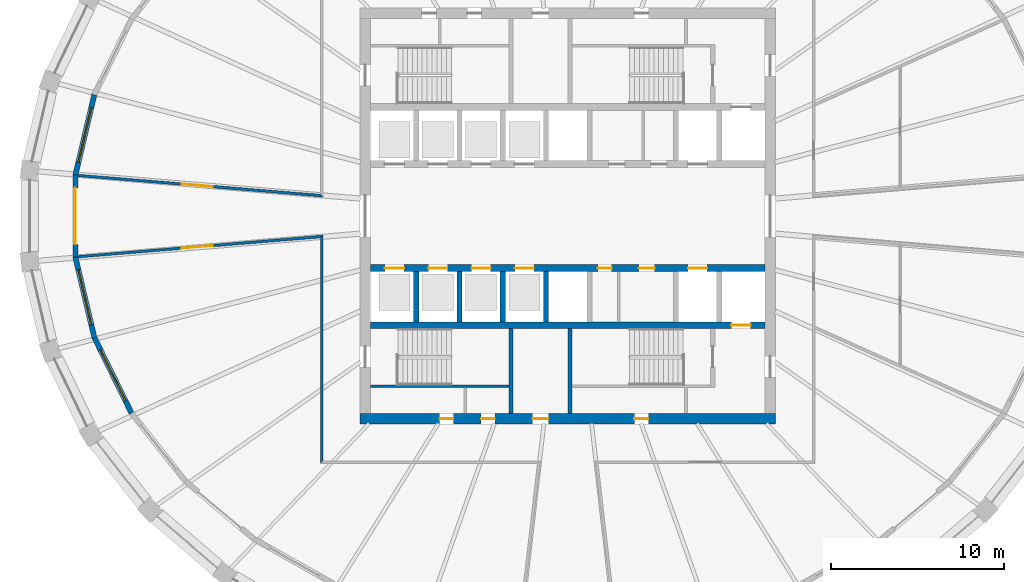
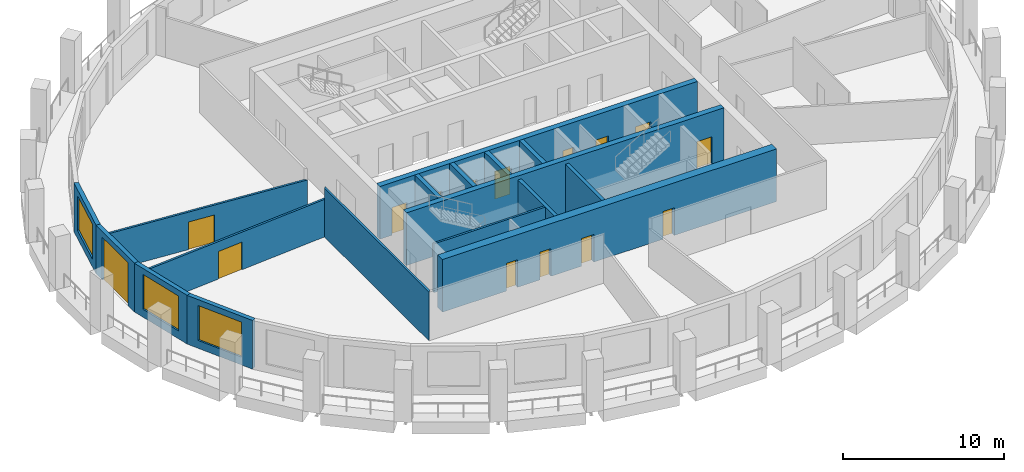
# One storey, part 3 of 10: 17 walls, 15 doors, 3 windows, 18 openings.
"""IFC4 building model written with IfcOpenShell, lengths in metres."""

from ifc_helpers import new_model, si_unit, direction, frame, frame_2d, origin, place, context, subcontext, project, spatial, polyline, rectangle, outline, extrude, material, layer, layer_set, type_object, element, fill, save


model = new_model("IFC4")

# Units and contexts
model_context = context("Model", 3, precision=1e-05, world=origin(), true_north=direction((0.0, 1.0)))
body_context = subcontext(model_context, "Body", "Model", "MODEL_VIEW")
ifc_project = project(units=[si_unit("LENGTHUNIT", "METRE"), si_unit("AREAUNIT", "SQUARE_METRE"), si_unit("VOLUMEUNIT", "CUBIC_METRE"), si_unit("PLANEANGLEUNIT", "RADIAN"), si_unit("MASSUNIT", "GRAM", prefix="KILO")], contexts=[model_context])

# Site, building, storey
site_placement = place(None, origin())
site = spatial("IfcSite", under=ifc_project, at=site_placement, CompositionType="ELEMENT")
building_placement = place(site_placement, origin())
building = spatial("IfcBuilding", under=site, at=building_placement, Name="Halqa Exchange Tower", CompositionType="ELEMENT")
storey_placement = place(building_placement, frame((0.0, 0.0, 242.89990234375)))
storey = spatial("IfcBuildingStorey", under=building, at=storey_placement, Name="L56", CompositionType="ELEMENT", Elevation=242.89990234375)

# Wall, opening, door
ifc_material_1 = material(Name="Fire-rated gypsum board")
ifc_layer_1 = layer(ifc_material_1, 0.14990234375)
ifc_layer_set_1 = layer_set([ifc_layer_1], Name="Fire-rated gypsum board")
wall_type_1 = type_object("IfcWallType", Name="Fire partition EI 60 150", PredefinedType="PARTITIONING", material=ifc_layer_set_1)
wall_1_placement = place(storey_placement, frame((-28.26708984375, 2.344970703125, 0.0), z_axis=(0.0, 0.0, 1.0), x_axis=(0.996588676362, -0.082528844332, 0.0)))
wall_1 = element("IfcWall", 1, at=wall_1_placement, inside=storey, type_object=wall_type_1, Name="L56-PWL-001", PredefinedType="PARTITIONING", context=body_context, shape_type="SweptSolid", body=[
    extrude(outline(polyline([(14.196533203125, -0.074951171875), (14.196533203125, -0.074951171875), (14.115234375, 0.0), (14.03369140625, 0.074951171875), (12.280029296875, 0.074951171875), (10.5263671875, 0.074951171875), (8.772705078125, 0.074951171875), (7.01904296875, 0.074951171875), (5.26513671875, 0.074951171875), (3.511474609375, 0.074951171875), (1.7578125, 0.074951171875), (0.004150390625, 0.074951171875), (0.0, 0.047607421875), (0.0, -0.074951171875), (1.774658203125, -0.074951171875), (3.549072265625, -0.074951171875), (5.32373046875, -0.074951171875), (7.09814453125, -0.074951171875), (8.872802734375, -0.074951171875), (10.6474609375, -0.074951171875), (12.421875, -0.074951171875), (14.196533203125, -0.074951171875)])), origin(), (0.0, 0.0, 1.0), 2.85009765625),
])
opening_1_placement = place(wall_1_placement, frame((6.005859375, 0.0, 0.0)))
opening_1 = element("IfcOpeningElement", 2, at=opening_1_placement, cuts=wall_1, Name="Opening 17-07", PredefinedType="OPENING", context=body_context, shape_type="SweptSolid", body=[
    extrude(rectangle(XDim=1.800048828125, YDim=2.10009765625, at=frame_2d((0.89990234375, 1.050048828125))), frame((0.0, 0.0869140625, 0.0), z_axis=(0.0, -1.0, 0.0), x_axis=(1.0, 0.0, 0.0)), (0.0, 0.0, 1.0), 0.173828125),
])
ifc_material_2 = material(Name="Steel fire door leaf", Category="steel")
door_type_1 = type_object("IfcDoorType", Name="Fire door FD30S double 1800 x 2100", OperationType="DOUBLE_DOOR_SINGLE_SWING", PredefinedType="DOOR", material=ifc_material_2)
door_1_placement = place(opening_1_placement, origin())
door_1 = element("IfcDoor", 3, at=door_1_placement, inside=storey, type_object=door_type_1, Name="L56-IDR-007", OperationType="DOUBLE_DOOR_SINGLE_SWING", OverallHeight=2.10009765625, OverallWidth=1.800048828125, PredefinedType="DOOR", context=body_context, shape_type="SweptSolid", body=[
    extrude(rectangle(XDim=1.800048828125, YDim=2.10009765625, at=frame_2d((0.89990234375, 1.050048828125))), frame((0.0, 0.02490234375, 0.0), z_axis=(0.0, -1.0, 0.0), x_axis=(1.0, 0.0, 0.0)), (0.0, 0.0, 1.0), 0.050048828125),
])
fill(opening_1, door_1)

# Wall
wall_2_placement = place(storey_placement, frame((-14.199951171875, -14.27490234375, 0.0), z_axis=(0.0, 0.0, 1.0), x_axis=(0.0, 1.0, 0.0)))
element("IfcWall", 4, at=wall_2_placement, inside=storey, type_object=wall_type_1, Name="L56-PWL-002", PredefinedType="PARTITIONING", context=body_context, shape_type="SweptSolid", body=[
    extrude(outline(polyline([(0.14990234375, -0.074951171875), (2.0107421875, -0.074951171875), (3.871826171875, -0.074951171875), (5.732666015625, -0.074951171875), (7.593505859375, -0.074951171875), (9.45458984375, -0.074951171875), (11.3154296875, -0.074951171875), (13.17626953125, -0.074951171875), (13.013427734375, 0.074951171875), (11.154541015625, 0.074951171875), (9.29541015625, 0.074951171875), (7.436279296875, 0.074951171875), (5.5771484375, 0.074951171875), (3.71826171875, 0.074951171875), (1.859130859375, 0.074951171875), (0.0, 0.074951171875), (0.14990234375, -0.074951171875)])), origin(), (0.0, 0.0, 1.0), 3.7001953125),
])

# Wall, opening, door
wall_3_placement = place(storey_placement, frame((-14.118896484375, -1.17333984375, 0.0), z_axis=(0.0, 0.0, 1.0), x_axis=(-0.996588676362, -0.082528844332, 0.0)))
wall_3 = element("IfcWall", 5, at=wall_3_placement, inside=storey, type_object=wall_type_1, Name="L56-PWL-003", PredefinedType="PARTITIONING", context=body_context, shape_type="SweptSolid", body=[
    extrude(outline(polyline([(14.196533203125, -0.074951171875), (14.196533203125, 0.048095703125), (14.192626953125, 0.074951171875), (12.438720703125, 0.074951171875), (10.68505859375, 0.074951171875), (8.931396484375, 0.074951171875), (7.177734375, 0.074951171875), (5.424072265625, 0.074951171875), (3.670166015625, 0.074951171875), (1.91650390625, 0.074951171875), (0.162841796875, 0.074951171875), (0.081298828125, 0.0), (0.0, -0.074951171875), (1.774658203125, -0.074951171875), (3.549072265625, -0.074951171875), (5.32373046875, -0.074951171875), (7.098388671875, -0.074951171875), (8.872802734375, -0.074951171875), (10.6474609375, -0.074951171875), (12.421875, -0.074951171875), (14.196533203125, -0.074951171875)])), origin(), (0.0, 0.0, 1.0), 2.85009765625),
])
opening_2_placement = place(wall_3_placement, frame((6.39111328125, 0.0, 0.0)))
opening_2 = element("IfcOpeningElement", 6, at=opening_2_placement, cuts=wall_3, Name="Opening 17-01", PredefinedType="OPENING", context=body_context, shape_type="SweptSolid", body=[
    extrude(rectangle(XDim=1.800048828125, YDim=2.10009765625, at=frame_2d((0.89990234375, 1.050048828125))), frame((0.0, 0.0869140625, 0.0), z_axis=(0.0, -1.0, 0.0), x_axis=(1.0, 0.0, 0.0)), (0.0, 0.0, 1.0), 0.173828125),
])
door_2_placement = place(opening_2_placement, origin())
door_2 = element("IfcDoor", 7, at=door_2_placement, inside=storey, type_object=door_type_1, Name="L56-IDR-001", OperationType="DOUBLE_DOOR_SINGLE_SWING", OverallHeight=2.10009765625, OverallWidth=1.800048828125, PredefinedType="DOOR", context=body_context, shape_type="SweptSolid", body=[
    extrude(rectangle(XDim=1.800048828125, YDim=2.10009765625, at=frame_2d((0.89990234375, 1.050048828125))), frame((0.0, 0.02490234375, 0.0), z_axis=(0.0, -1.0, 0.0), x_axis=(1.0, 0.0, 0.0)), (0.0, 0.0, 1.0), 0.050048828125),
])
fill(opening_2, door_2)

# Walls
ifc_material_3 = material(Name="Concrete C60/75", Category="concrete")
ifc_layer_2 = layer(ifc_material_3, 0.300048828125)
ifc_layer_set_2 = layer_set([ifc_layer_2], Name="Concrete C60/75")
wall_type_2 = type_object("IfcWallType", Name="RC core wall 300", PredefinedType="SHEAR", material=ifc_layer_set_2)
for number, where, z_axis, x_axis, name in (
    (8, (-8.75, -6.10009765625, 0.0), (0.0, 0.0, 1.0), (0.0, 1.0, 0.0), "Shaft divider S1"),
    (9, (-6.25, -6.10009765625, 0.0), (0.0, 0.0, 1.0), (0.0, 1.0, 0.0), "Shaft divider S2"),
    (10, (-3.75, -6.10009765625, 0.0), (0.0, 0.0, 1.0), (0.0, 1.0, 0.0), "Shaft divider S3"),
    (11, (-1.25, -6.10009765625, 0.0), (0.0, 0.0, 1.0), (0.0, 1.0, 0.0), "Shaft divider S4"),
):
    element("IfcWall", number, at=place(storey_placement, frame(where, z_axis=z_axis, x_axis=x_axis)), inside=storey, type_object=wall_type_2, Name=name, PredefinedType="SHEAR", context=body_context, shape_type="SweptSolid", body=[
        extrude(rectangle(XDim=2.900146484375, YDim=0.300048828125, at=frame_2d((1.4501953125, 0.0))), origin(), (0.0, 0.0, 1.0), 4.0),
    ])

# Wall, openings, doors
ifc_material_4 = material(Name="Concrete C70/85", Category="concrete")
ifc_layer_3 = layer(ifc_material_4, 0.39990234375)
ifc_layer_set_3 = layer_set([ifc_layer_3], Name="Concrete C70/85")
wall_type_3 = type_object("IfcWallType", Name="RC core wall 400 C70/85", PredefinedType="SHEAR", material=ifc_layer_set_3)
wall_4_placement = place(storey_placement, frame((-11.39990234375, -3.0, 0.0), z_axis=(0.0, 0.0, 1.0), x_axis=(1.0, 0.0, 0.0)))
wall_4 = element("IfcWall", 12, at=wall_4_placement, inside=storey, type_object=wall_type_3, Name="Lift row front wall S", PredefinedType="SHEAR", context=body_context, shape_type="SweptSolid", body=[
    extrude(rectangle(XDim=22.7998046875, YDim=0.39990234375, at=frame_2d((11.39990234375, 0.0))), origin(), (0.0, 0.0, 1.0), 4.0),
])
opening_3_placement = place(wall_4_placement, frame((0.85009765625, 0.0, 0.0)))
opening_3 = element("IfcOpeningElement", 13, at=opening_3_placement, cuts=wall_4, Name="Opening LD-HR3-T17", PredefinedType="OPENING", context=body_context, shape_type="SweptSolid", body=[
    extrude(rectangle(XDim=1.10009765625, YDim=2.10009765625, at=frame_2d((0.550048828125, 1.050048828125))), frame((0.0, 0.2119140625, 0.0), z_axis=(0.0, -1.0, 0.0), x_axis=(1.0, 0.0, 0.0)), (0.0, 0.0, 1.0), 0.423828125),
])
opening_4_placement = place(wall_4_placement, frame((3.35009765625, 0.0, 0.0)))
opening_4 = element("IfcOpeningElement", 14, at=opening_4_placement, cuts=wall_4, Name="Opening LD-HR4-T17", PredefinedType="OPENING", context=body_context, shape_type="SweptSolid", body=[
    extrude(rectangle(XDim=1.10009765625, YDim=2.10009765625, at=frame_2d((0.550048828125, 1.050048828125))), frame((0.0, 0.2119140625, 0.0), z_axis=(0.0, -1.0, 0.0), x_axis=(1.0, 0.0, 0.0)), (0.0, 0.0, 1.0), 0.423828125),
])
opening_5_placement = place(wall_4_placement, frame((5.85009765625, 0.0, 0.0)))
opening_5 = element("IfcOpeningElement", 15, at=opening_5_placement, cuts=wall_4, Name="Opening LD-MR3-T17", PredefinedType="OPENING", context=body_context, shape_type="SweptSolid", body=[
    extrude(rectangle(XDim=1.10009765625, YDim=2.10009765625, at=frame_2d((0.550048828125, 1.050048828125))), frame((0.0, 0.2119140625, 0.0), z_axis=(0.0, -1.0, 0.0), x_axis=(1.0, 0.0, 0.0)), (0.0, 0.0, 1.0), 0.423828125),
])
opening_6_placement = place(wall_4_placement, frame((8.35009765625, 0.0, 0.0)))
opening_6 = element("IfcOpeningElement", 16, at=opening_6_placement, cuts=wall_4, Name="Opening LD-MR4-T17", PredefinedType="OPENING", context=body_context, shape_type="SweptSolid", body=[
    extrude(rectangle(XDim=1.10009765625, YDim=2.10009765625, at=frame_2d((0.550048828125, 1.050048828125))), frame((0.0, 0.2119140625, 0.0), z_axis=(0.0, -1.0, 0.0), x_axis=(1.0, 0.0, 0.0)), (0.0, 0.0, 1.0), 0.423828125),
])
opening_7_placement = place(wall_4_placement, frame((18.35009765625, 0.0, 0.0)))
opening_7 = element("IfcOpeningElement", 17, at=opening_7_placement, cuts=wall_4, Name="Opening LD-SV2-T17", PredefinedType="OPENING", context=body_context, shape_type="SweptSolid", body=[
    extrude(rectangle(XDim=1.10009765625, YDim=2.10009765625, at=frame_2d((0.550048828125, 1.050048828125))), frame((0.0, 0.2119140625, 0.0), z_axis=(0.0, -1.0, 0.0), x_axis=(1.0, 0.0, 0.0)), (0.0, 0.0, 1.0), 0.423828125),
])
opening_8_placement = place(wall_4_placement, frame((13.137451171875, 0.0, 0.0)))
opening_8 = element("IfcOpeningElement", 18, at=opening_8_placement, cuts=wall_4, Name="Opening T17-C31", PredefinedType="OPENING", context=body_context, shape_type="SweptSolid", body=[
    extrude(rectangle(XDim=0.800048828125, YDim=2.10009765625, at=frame_2d((0.39990234375, 1.050048828125))), frame((0.0, 0.2119140625, 0.0), z_axis=(0.0, -1.0, 0.0), x_axis=(1.0, 0.0, 0.0)), (0.0, 0.0, 1.0), 0.423828125),
])
opening_9_placement = place(wall_4_placement, frame((15.512451171875, 0.0, 0.0)))
opening_9 = element("IfcOpeningElement", 19, at=opening_9_placement, cuts=wall_4, Name="Opening T17-C32", PredefinedType="OPENING", context=body_context, shape_type="SweptSolid", body=[
    extrude(rectangle(XDim=0.89990234375, YDim=2.10009765625, at=frame_2d((0.449951171875, 1.050048828125))), frame((0.0, 0.2119140625, 0.0), z_axis=(0.0, -1.0, 0.0), x_axis=(1.0, 0.0, 0.0)), (0.0, 0.0, 1.0), 0.423828125),
])
ifc_material_5 = material(Name="Timber fire door leaf", Category="wood")
door_type_2 = type_object("IfcDoorType", Name="Core room door FD30 900 x 2100", OperationType="SINGLE_SWING_LEFT", PredefinedType="DOOR", material=ifc_material_5)
door_3_placement = place(opening_9_placement, frame((0.89990234375, 0.0, 0.0), z_axis=(0.0, 0.0, 1.0), x_axis=(-1.0, 0.0, 0.0)))
door_3 = element("IfcDoor", 20, at=door_3_placement, inside=storey, type_object=door_type_2, Name="Core room door", OperationType="SINGLE_SWING_LEFT", OverallHeight=2.10009765625, OverallWidth=0.89990234375, PredefinedType="DOOR", context=body_context, shape_type="SweptSolid", body=[
    extrude(rectangle(XDim=0.89990234375, YDim=2.10009765625, at=frame_2d((0.449951171875, 1.050048828125))), frame((0.0, 0.02490234375, 0.0), z_axis=(0.0, -1.0, 0.0), x_axis=(1.0, 0.0, 0.0)), (0.0, 0.0, 1.0), 0.050048828125),
])
fill(opening_9, door_3)
ifc_material_6 = material(Name="Stainless steel", Category="steel")
door_type_3 = type_object("IfcDoorType", Name="Lift landing door 1100 x 2100", OperationType="SLIDING_TO_LEFT", PredefinedType="DOOR", material=ifc_material_6)
door_4_placement = place(opening_3_placement, origin())
door_4 = element("IfcDoor", 21, at=door_4_placement, inside=storey, type_object=door_type_3, Name="Lift landing door HR3", OperationType="SLIDING_TO_LEFT", OverallHeight=2.10009765625, OverallWidth=1.10009765625, PredefinedType="DOOR", context=body_context, shape_type="SweptSolid", body=[
    extrude(rectangle(XDim=1.10009765625, YDim=2.10009765625, at=frame_2d((0.550048828125, 1.050048828125))), frame((0.0, 0.02490234375, 0.0), z_axis=(0.0, -1.0, 0.0), x_axis=(1.0, 0.0, 0.0)), (0.0, 0.0, 1.0), 0.050048828125),
])
fill(opening_3, door_4)
door_5_placement = place(opening_4_placement, origin())
door_5 = element("IfcDoor", 22, at=door_5_placement, inside=storey, type_object=door_type_3, Name="Lift landing door HR4", OperationType="SLIDING_TO_LEFT", OverallHeight=2.10009765625, OverallWidth=1.10009765625, PredefinedType="DOOR", context=body_context, shape_type="SweptSolid", body=[
    extrude(rectangle(XDim=1.10009765625, YDim=2.10009765625, at=frame_2d((0.550048828125, 1.050048828125))), frame((0.0, 0.02490234375, 0.0), z_axis=(0.0, -1.0, 0.0), x_axis=(1.0, 0.0, 0.0)), (0.0, 0.0, 1.0), 0.050048828125),
])
fill(opening_4, door_5)
door_6_placement = place(opening_5_placement, origin())
door_6 = element("IfcDoor", 23, at=door_6_placement, inside=storey, type_object=door_type_3, Name="Lift landing door MR3", OperationType="SLIDING_TO_LEFT", OverallHeight=2.10009765625, OverallWidth=1.10009765625, PredefinedType="DOOR", context=body_context, shape_type="SweptSolid", body=[
    extrude(rectangle(XDim=1.10009765625, YDim=2.10009765625, at=frame_2d((0.550048828125, 1.050048828125))), frame((0.0, 0.02490234375, 0.0), z_axis=(0.0, -1.0, 0.0), x_axis=(1.0, 0.0, 0.0)), (0.0, 0.0, 1.0), 0.050048828125),
])
fill(opening_5, door_6)
door_7_placement = place(opening_6_placement, origin())
door_7 = element("IfcDoor", 24, at=door_7_placement, inside=storey, type_object=door_type_3, Name="Lift landing door MR4", OperationType="SLIDING_TO_LEFT", OverallHeight=2.10009765625, OverallWidth=1.10009765625, PredefinedType="DOOR", context=body_context, shape_type="SweptSolid", body=[
    extrude(rectangle(XDim=1.10009765625, YDim=2.10009765625, at=frame_2d((0.550048828125, 1.050048828125))), frame((0.0, 0.02490234375, 0.0), z_axis=(0.0, -1.0, 0.0), x_axis=(1.0, 0.0, 0.0)), (0.0, 0.0, 1.0), 0.050048828125),
])
fill(opening_6, door_7)
door_8_placement = place(opening_7_placement, origin())
door_8 = element("IfcDoor", 25, at=door_8_placement, inside=storey, type_object=door_type_3, Name="Lift landing door SV2", OperationType="SLIDING_TO_LEFT", OverallHeight=2.10009765625, OverallWidth=1.10009765625, PredefinedType="DOOR", context=body_context, shape_type="SweptSolid", body=[
    extrude(rectangle(XDim=1.10009765625, YDim=2.10009765625, at=frame_2d((0.550048828125, 1.050048828125))), frame((0.0, 0.02490234375, 0.0), z_axis=(0.0, -1.0, 0.0), x_axis=(1.0, 0.0, 0.0)), (0.0, 0.0, 1.0), 0.050048828125),
])
fill(opening_7, door_8)
door_type_4 = type_object("IfcDoorType", Name="Riser door FD60 800 x 2100", OperationType="SINGLE_SWING_LEFT", PredefinedType="DOOR", material=ifc_material_2)
door_9_placement = place(opening_8_placement, frame((0.800048828125, 0.0, 0.0), z_axis=(0.0, 0.0, 1.0), x_axis=(-1.0, 0.0, 0.0)))
door_9 = element("IfcDoor", 26, at=door_9_placement, inside=storey, type_object=door_type_4, Name="Core room door", OperationType="SINGLE_SWING_LEFT", OverallHeight=2.10009765625, OverallWidth=0.800048828125, PredefinedType="DOOR", context=body_context, shape_type="SweptSolid", body=[
    extrude(rectangle(XDim=0.800048828125, YDim=2.10009765625, at=frame_2d((0.39990234375, 1.050048828125))), frame((0.0, 0.02490234375, 0.0), z_axis=(0.0, -1.0, 0.0), x_axis=(1.0, 0.0, 0.0)), (0.0, 0.0, 1.0), 0.050048828125),
])
fill(opening_8, door_9)

# Wall, opening, door
wall_5_placement = place(storey_placement, frame((-11.39990234375, -6.300048828125, 0.0), z_axis=(0.0, 0.0, 1.0), x_axis=(1.0, 0.0, 0.0)))
wall_5 = element("IfcWall", 27, at=wall_5_placement, inside=storey, type_object=wall_type_3, Name="Lift row back wall S", PredefinedType="SHEAR", context=body_context, shape_type="SweptSolid", body=[
    extrude(rectangle(XDim=22.7998046875, YDim=0.39990234375, at=frame_2d((11.39990234375, 0.0))), origin(), (0.0, 0.0, 1.0), 4.0),
])
opening_10_placement = place(wall_5_placement, frame((20.85009765625, 0.0, 0.0)))
opening_10 = element("IfcOpeningElement", 28, at=opening_10_placement, cuts=wall_5, Name="Opening LD-FF2-T17", PredefinedType="OPENING", context=body_context, shape_type="SweptSolid", body=[
    extrude(rectangle(XDim=1.10009765625, YDim=2.10009765625, at=frame_2d((0.550048828125, 1.050048828125))), frame((0.0, 0.2119140625, 0.0), z_axis=(0.0, -1.0, 0.0), x_axis=(1.0, 0.0, 0.0)), (0.0, 0.0, 1.0), 0.423828125),
])
door_10_placement = place(opening_10_placement, origin())
door_10 = element("IfcDoor", 29, at=door_10_placement, inside=storey, type_object=door_type_3, Name="Lift landing door FF2", OperationType="SLIDING_TO_LEFT", OverallHeight=2.10009765625, OverallWidth=1.10009765625, PredefinedType="DOOR", context=body_context, shape_type="SweptSolid", body=[
    extrude(rectangle(XDim=1.10009765625, YDim=2.10009765625, at=frame_2d((0.550048828125, 1.050048828125))), frame((0.0, 0.02490234375, 0.0), z_axis=(0.0, -1.0, 0.0), x_axis=(1.0, 0.0, 0.0)), (0.0, 0.0, 1.0), 0.050048828125),
])
fill(opening_10, door_10)

# Wall, openings, doors
ifc_layer_4 = layer(ifc_material_4, 0.60009765625)
ifc_layer_set_4 = layer_set([ifc_layer_4], Name="Concrete C70/85")
wall_type_4 = type_object("IfcWallType", Name="RC core wall 600 C70/85", PredefinedType="SHEAR", material=ifc_layer_set_4)
wall_6_placement = place(storey_placement, frame((-12.0, -11.699951171875, 0.0), z_axis=(0.0, 0.0, 1.0), x_axis=(1.0, 0.0, 0.0)))
wall_6 = element("IfcWall", 30, at=wall_6_placement, inside=storey, type_object=wall_type_4, Name="Core wall south", PredefinedType="SHEAR", context=body_context, shape_type="SweptSolid", body=[
    extrude(rectangle(XDim=24.0, YDim=0.60009765625, at=frame_2d((12.0, 0.0))), origin(), (0.0, 0.0, 1.0), 4.0),
])
opening_11_placement = place(wall_6_placement, frame((9.97509765625, 0.0, 0.0)))
opening_11 = element("IfcOpeningElement", 31, at=opening_11_placement, cuts=wall_6, Name="Opening T17-C25", PredefinedType="OPENING", context=body_context, shape_type="SweptSolid", body=[
    extrude(rectangle(XDim=0.89990234375, YDim=2.10009765625, at=frame_2d((0.449951171875, 1.050048828125))), frame((0.0, 0.31201171875, 0.0), z_axis=(0.0, -1.0, 0.0), x_axis=(1.0, 0.0, 0.0)), (0.0, 0.0, 1.0), 0.6240234375),
])
opening_12_placement = place(wall_6_placement, frame((4.60009765625, 0.0, 0.0)))
opening_12 = element("IfcOpeningElement", 32, at=opening_12_placement, cuts=wall_6, Name="Opening T17-C26", PredefinedType="OPENING", context=body_context, shape_type="SweptSolid", body=[
    extrude(rectangle(XDim=0.800048828125, YDim=2.10009765625, at=frame_2d((0.39990234375, 1.050048828125))), frame((0.0, 0.31201171875, 0.0), z_axis=(0.0, -1.0, 0.0), x_axis=(1.0, 0.0, 0.0)), (0.0, 0.0, 1.0), 0.6240234375),
])
opening_13_placement = place(wall_6_placement, frame((7.0, 0.0, 0.0)))
opening_13 = element("IfcOpeningElement", 33, at=opening_13_placement, cuts=wall_6, Name="Opening T17-C27", PredefinedType="OPENING", context=body_context, shape_type="SweptSolid", body=[
    extrude(rectangle(XDim=0.800048828125, YDim=2.10009765625, at=frame_2d((0.39990234375, 1.050048828125))), frame((0.0, 0.31201171875, 0.0), z_axis=(0.0, -1.0, 0.0), x_axis=(1.0, 0.0, 0.0)), (0.0, 0.0, 1.0), 0.6240234375),
])
opening_14_placement = place(wall_6_placement, frame((15.85009765625, 0.0, 0.0)))
opening_14 = element("IfcOpeningElement", 34, at=opening_14_placement, cuts=wall_6, Name="Opening T17-C28", PredefinedType="OPENING", context=body_context, shape_type="SweptSolid", body=[
    extrude(rectangle(XDim=0.800048828125, YDim=2.10009765625, at=frame_2d((0.39990234375, 1.050048828125))), frame((0.0, 0.31201171875, 0.0), z_axis=(0.0, -1.0, 0.0), x_axis=(1.0, 0.0, 0.0)), (0.0, 0.0, 1.0), 0.6240234375),
])
door_11_placement = place(opening_11_placement, origin())
door_11 = element("IfcDoor", 35, at=door_11_placement, inside=storey, type_object=door_type_2, Name="Core room door", OperationType="SINGLE_SWING_RIGHT", OverallHeight=2.10009765625, OverallWidth=0.89990234375, PredefinedType="DOOR", context=body_context, shape_type="SweptSolid", body=[
    extrude(rectangle(XDim=0.89990234375, YDim=2.10009765625, at=frame_2d((0.449951171875, 1.050048828125))), frame((0.0, 0.02490234375, 0.0), z_axis=(0.0, -1.0, 0.0), x_axis=(1.0, 0.0, 0.0)), (0.0, 0.0, 1.0), 0.050048828125),
])
fill(opening_11, door_11)
door_12_placement = place(opening_12_placement, origin())
door_12 = element("IfcDoor", 36, at=door_12_placement, inside=storey, type_object=door_type_4, Name="Core room door", OperationType="SINGLE_SWING_LEFT", OverallHeight=2.10009765625, OverallWidth=0.800048828125, PredefinedType="DOOR", context=body_context, shape_type="SweptSolid", body=[
    extrude(rectangle(XDim=0.800048828125, YDim=2.10009765625, at=frame_2d((0.39990234375, 1.050048828125))), frame((0.0, 0.02490234375, 0.0), z_axis=(0.0, -1.0, 0.0), x_axis=(1.0, 0.0, 0.0)), (0.0, 0.0, 1.0), 0.050048828125),
])
fill(opening_12, door_12)
door_13_placement = place(opening_13_placement, origin())
door_13 = element("IfcDoor", 37, at=door_13_placement, inside=storey, type_object=door_type_4, Name="Core room door", OperationType="SINGLE_SWING_RIGHT", OverallHeight=2.10009765625, OverallWidth=0.800048828125, PredefinedType="DOOR", context=body_context, shape_type="SweptSolid", body=[
    extrude(rectangle(XDim=0.800048828125, YDim=2.10009765625, at=frame_2d((0.39990234375, 1.050048828125))), frame((0.0, 0.02490234375, 0.0), z_axis=(0.0, -1.0, 0.0), x_axis=(1.0, 0.0, 0.0)), (0.0, 0.0, 1.0), 0.050048828125),
])
fill(opening_13, door_13)
door_14_placement = place(opening_14_placement, origin())
door_14 = element("IfcDoor", 38, at=door_14_placement, inside=storey, type_object=door_type_4, Name="Core room door", OperationType="SINGLE_SWING_LEFT", OverallHeight=2.10009765625, OverallWidth=0.800048828125, PredefinedType="DOOR", context=body_context, shape_type="SweptSolid", body=[
    extrude(rectangle(XDim=0.800048828125, YDim=2.10009765625, at=frame_2d((0.39990234375, 1.050048828125))), frame((0.0, 0.02490234375, 0.0), z_axis=(0.0, -1.0, 0.0), x_axis=(1.0, 0.0, 0.0)), (0.0, 0.0, 1.0), 0.050048828125),
])
fill(opening_14, door_14)

# Walls
ifc_material_7 = material(Name="Concrete C30/37", Category="concrete")
ifc_layer_5 = layer(ifc_material_7, 0.14990234375)
ifc_layer_set_5 = layer_set([ifc_layer_5], Name="Concrete C30/37")
wall_type_5 = type_object("IfcWallType", Name="RC stair wall 150 C30/37", PredefinedType="SHEAR", material=ifc_layer_set_5)
wall_7_placement = place(storey_placement, frame((-11.39990234375, -9.824951171875, 0.0), z_axis=(0.0, 0.0, 1.0), x_axis=(1.0, 0.0, 0.0)))
element("IfcWall", 39, at=wall_7_placement, inside=storey, type_object=wall_type_5, Name="Stair ST1 north wall S", PredefinedType="SHEAR", context=body_context, shape_type="SweptSolid", body=[
    extrude(rectangle(XDim=8.0, YDim=0.14990234375, at=frame_2d((4.0, 0.0))), origin(), (0.0, 0.0, 1.0), 3.7001953125),
])
ifc_layer_6 = layer(ifc_material_7, 0.25)
ifc_layer_set_6 = layer_set([ifc_layer_6], Name="Concrete C30/37")
wall_type_6 = type_object("IfcWallType", Name="RC stair wall 250 C30/37", PredefinedType="SHEAR", material=ifc_layer_set_6)
for number, where, z_axis, x_axis, name in (
    (40, (-3.27490234375, -11.39990234375, 0.0), (0.0, 0.0, 1.0), (0.0, 1.0, 0.0), "Stair ST1 east wall S"),
    (41, (0.125, -11.39990234375, 0.0), (0.0, 0.0, 1.0), (0.0, 1.0, 0.0), "Stair ST2 west wall S"),
):
    element("IfcWall", number, at=place(storey_placement, frame(where, z_axis=z_axis, x_axis=x_axis)), inside=storey, type_object=wall_type_6, Name=name, PredefinedType="SHEAR", context=body_context, shape_type="SweptSolid", body=[
        extrude(rectangle(XDim=4.89990234375, YDim=0.25, at=frame_2d((2.449951171875, 0.0))), origin(), (0.0, 0.0, 1.0), 3.7001953125),
    ])

# Wall, opening, window
ifc_material_8 = material(Name="Limestone cladding", Category="masonry")
ifc_layer_7 = layer(ifc_material_8, 0.0400390625)
ifc_material_9 = material(Name="Ventilated cavity")
ifc_layer_8 = layer(ifc_material_9, 0.030029296875, ventilated=True)
ifc_material_10 = material(Name="Mineral wool insulation")
ifc_layer_9 = layer(ifc_material_10, 0.10009765625)
ifc_layer_10 = layer(ifc_material_7, 0.10009765625)
ifc_material_11 = material(Name="Internal plaster")
ifc_layer_11 = layer(ifc_material_11, 0.030029296875)
ifc_layer_set_7 = layer_set([ifc_layer_7, ifc_layer_8, ifc_layer_9, ifc_layer_10, ifc_layer_11], Name="Stone-faced insulated wall 300")
wall_type_7 = type_object("IfcWallType", Name="Stone-faced insulated wall 300", PredefinedType="STANDARD", material=ifc_layer_set_7)
wall_8_placement = place(storey_placement, frame((-27.329345703125, 7.00390625, 0.0), z_axis=(0.0, 0.0, 1.0), x_axis=(-0.229593205094, -0.973286679337, 0.0)))
wall_8 = element("IfcWall", 42, at=wall_8_placement, inside=storey, type_object=wall_type_7, Name="Glass-line wall 15", PredefinedType="STANDARD", context=body_context, shape_type="SweptSolid", body=[
    extrude(outline(polyline([(-0.016845703125, -0.14990234375), (4.783447265625, -0.14990234375), (4.748291015625, 0.14990234375), (0.016845703125, 0.14990234375), (-0.016845703125, -0.14990234375)])), origin(), (0.0, 0.0, 1.0), 3.7001953125),
])
opening_15_placement = place(wall_8_placement, frame((0.758056640625, 0.0, 0.60009765625)))
opening_15 = element("IfcOpeningElement", 43, at=opening_15_placement, cuts=wall_8, Name="Opening W-F3-15", PredefinedType="OPENING", context=body_context, shape_type="SweptSolid", body=[
    extrude(rectangle(XDim=3.25, YDim=2.64990234375, at=frame_2d((1.625, 1.324951171875))), frame((0.0, 0.162109375, 0.0), z_axis=(0.0, -1.0, 0.0), x_axis=(1.0, 0.0, 0.0)), (0.0, 0.0, 1.0), 0.323974609375),
])
ifc_material_12 = material(Name="Clear low-emissivity glass in aluminium frame", Category="aluminium")
window_type = type_object("IfcWindowType", Name="Fixed clear glazed window 3250 x 2650", PartitioningType="TRIPLE_PANEL_VERTICAL", PredefinedType="WINDOW", material=ifc_material_12)
window_1_placement = place(opening_15_placement, origin())
window_1 = element("IfcWindow", 44, at=window_1_placement, inside=storey, type_object=window_type, Name="Window 3", OverallHeight=2.64990234375, OverallWidth=3.25, PartitioningType="TRIPLE_PANEL_VERTICAL", PredefinedType="WINDOW", context=body_context, shape_type="SweptSolid", body=[
    extrude(rectangle(XDim=3.25, YDim=2.64990234375, at=frame_2d((1.625, 1.324951171875))), frame((0.0, 0.030029296875, 0.0), z_axis=(0.0, -1.0, 0.0), x_axis=(1.0, 0.0, 0.0)), (0.0, 0.0, 1.0), 0.06005859375),
])
fill(opening_15, window_1)

# Wall, opening, door
wall_9_placement = place(storey_placement, frame((-28.423583984375, 2.365234375, 0.0), z_axis=(0.0, 0.0, 1.0), x_axis=(0.0, -1.0, 0.0)))
wall_9 = element("IfcWall", 45, at=wall_9_placement, inside=storey, type_object=wall_type_7, Name="Glass-line wall 16", PredefinedType="STANDARD", context=body_context, shape_type="SweptSolid", body=[
    extrude(outline(polyline([(-0.017578125, -0.14990234375), (4.748046875, -0.14990234375), (4.712890625, 0.14990234375), (0.017578125, 0.14990234375), (-0.017578125, -0.14990234375)])), origin(), (0.0, 0.0, 1.0), 3.7001953125),
])
opening_16_placement = place(wall_9_placement, frame((0.740234375, 0.0, 0.0)))
opening_16 = element("IfcOpeningElement", 46, at=opening_16_placement, cuts=wall_9, Name="Opening LG-F3-04", PredefinedType="OPENING", context=body_context, shape_type="SweptSolid", body=[
    extrude(rectangle(XDim=3.25, YDim=3.25, at=frame_2d((1.625, 1.625))), frame((0.0, 0.162109375, 0.0), z_axis=(0.0, -1.0, 0.0), x_axis=(1.0, 0.0, 0.0)), (0.0, 0.0, 1.0), 0.323974609375),
])
door_type_5 = type_object("IfcDoorType", Name="Glazed sliding loggia door 3250 x 3250", OperationType="DOUBLE_DOOR_SLIDING", PredefinedType="DOOR", material=ifc_material_12)
door_15_placement = place(opening_16_placement, origin())
door_15 = element("IfcDoor", 47, at=door_15_placement, inside=storey, type_object=door_type_5, Name="Loggia door 4", OperationType="DOUBLE_DOOR_SLIDING", OverallHeight=3.25, OverallWidth=3.25, PredefinedType="DOOR", context=body_context, shape_type="SweptSolid", body=[
    extrude(rectangle(XDim=3.25, YDim=3.25, at=frame_2d((1.625, 1.625))), frame((0.0, 0.02490234375, 0.0), z_axis=(0.0, -1.0, 0.0), x_axis=(1.0, 0.0, 0.0)), (0.0, 0.0, 1.0), 0.050048828125),
])
fill(opening_16, door_15)

# Wall, opening, window
wall_10_placement = place(storey_placement, frame((-28.423583984375, -2.365234375, 0.0), z_axis=(0.0, 0.0, 1.0), x_axis=(0.229593205094, -0.973286679337, 0.0)))
wall_10 = element("IfcWall", 48, at=wall_10_placement, inside=storey, type_object=wall_type_7, Name="Glass-line wall 17", PredefinedType="STANDARD", context=body_context, shape_type="SweptSolid", body=[
    extrude(outline(polyline([(-0.017578125, -0.14990234375), (4.78271484375, -0.14990234375), (4.7490234375, 0.14990234375), (0.017578125, 0.14990234375), (-0.017578125, -0.14990234375)])), origin(), (0.0, 0.0, 1.0), 3.7001953125),
])
opening_17_placement = place(wall_10_placement, frame((0.758056640625, 0.0, 0.60009765625)))
opening_17 = element("IfcOpeningElement", 49, at=opening_17_placement, cuts=wall_10, Name="Opening W-F3-17", PredefinedType="OPENING", context=body_context, shape_type="SweptSolid", body=[
    extrude(rectangle(XDim=3.25, YDim=2.64990234375, at=frame_2d((1.625, 1.324951171875))), frame((0.0, 0.162109375, 0.0), z_axis=(0.0, -1.0, 0.0), x_axis=(1.0, 0.0, 0.0)), (0.0, 0.0, 1.0), 0.323974609375),
])
window_2_placement = place(opening_17_placement, origin())
window_2 = element("IfcWindow", 50, at=window_2_placement, inside=storey, type_object=window_type, Name="Window 3", OverallHeight=2.64990234375, OverallWidth=3.25, PartitioningType="TRIPLE_PANEL_VERTICAL", PredefinedType="WINDOW", context=body_context, shape_type="SweptSolid", body=[
    extrude(rectangle(XDim=3.25, YDim=2.64990234375, at=frame_2d((1.625, 1.324951171875))), frame((0.0, 0.030029296875, 0.0), z_axis=(0.0, -1.0, 0.0), x_axis=(1.0, 0.0, 0.0)), (0.0, 0.0, 1.0), 0.06005859375),
])
fill(opening_17, window_2)

wall_11_placement = place(storey_placement, frame((-27.329345703125, -7.00390625, 0.0), z_axis=(0.0, 0.0, 1.0), x_axis=(0.441001730708, -0.897506252632, 0.0)))
wall_11 = element("IfcWall", 51, at=wall_11_placement, inside=storey, type_object=wall_type_7, Name="Glass-line wall 18", PredefinedType="STANDARD", context=body_context, shape_type="SweptSolid", body=[
    extrude(outline(polyline([(-0.016845703125, -0.14990234375), (4.88232421875, -0.14990234375), (4.85009765625, 0.14990234375), (0.016845703125, 0.14990234375), (-0.016845703125, -0.14990234375)])), origin(), (0.0, 0.0, 1.0), 3.7001953125),
])
opening_18_placement = place(wall_11_placement, frame((0.80810546875, 0.0, 0.60009765625)))
opening_18 = element("IfcOpeningElement", 52, at=opening_18_placement, cuts=wall_11, Name="Opening W-F3-18", PredefinedType="OPENING", context=body_context, shape_type="SweptSolid", body=[
    extrude(rectangle(XDim=3.25, YDim=2.64990234375, at=frame_2d((1.625, 1.324951171875))), frame((0.0, 0.162109375, 0.0), z_axis=(0.0, -1.0, 0.0), x_axis=(1.0, 0.0, 0.0)), (0.0, 0.0, 1.0), 0.323974609375),
])
window_3_placement = place(opening_18_placement, origin())
window_3 = element("IfcWindow", 53, at=window_3_placement, inside=storey, type_object=window_type, Name="Window 3", OverallHeight=2.64990234375, OverallWidth=3.25, PartitioningType="TRIPLE_PANEL_VERTICAL", PredefinedType="WINDOW", context=body_context, shape_type="SweptSolid", body=[
    extrude(rectangle(XDim=3.25, YDim=2.64990234375, at=frame_2d((1.625, 1.324951171875))), frame((0.0, 0.030029296875, 0.0), z_axis=(0.0, -1.0, 0.0), x_axis=(1.0, 0.0, 0.0)), (0.0, 0.0, 1.0), 0.06005859375),
])
fill(opening_18, window_3)

save(model, "model.ifc")
